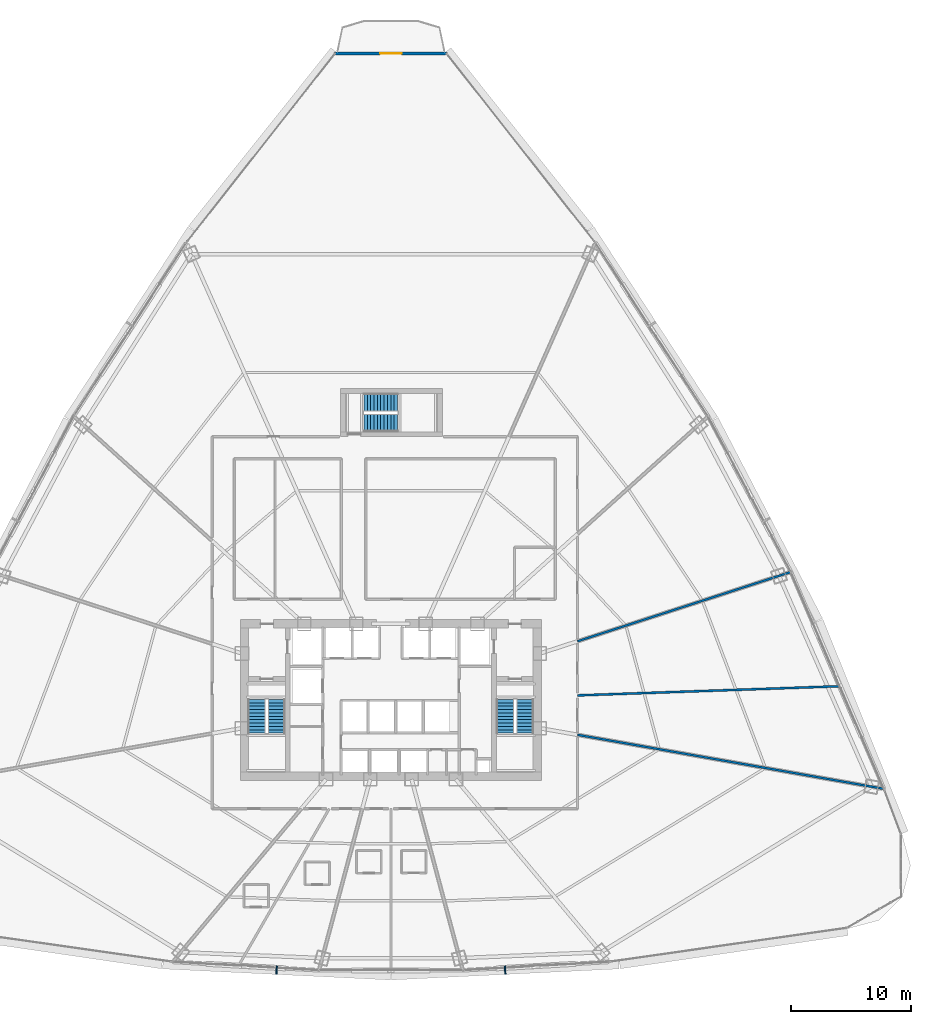
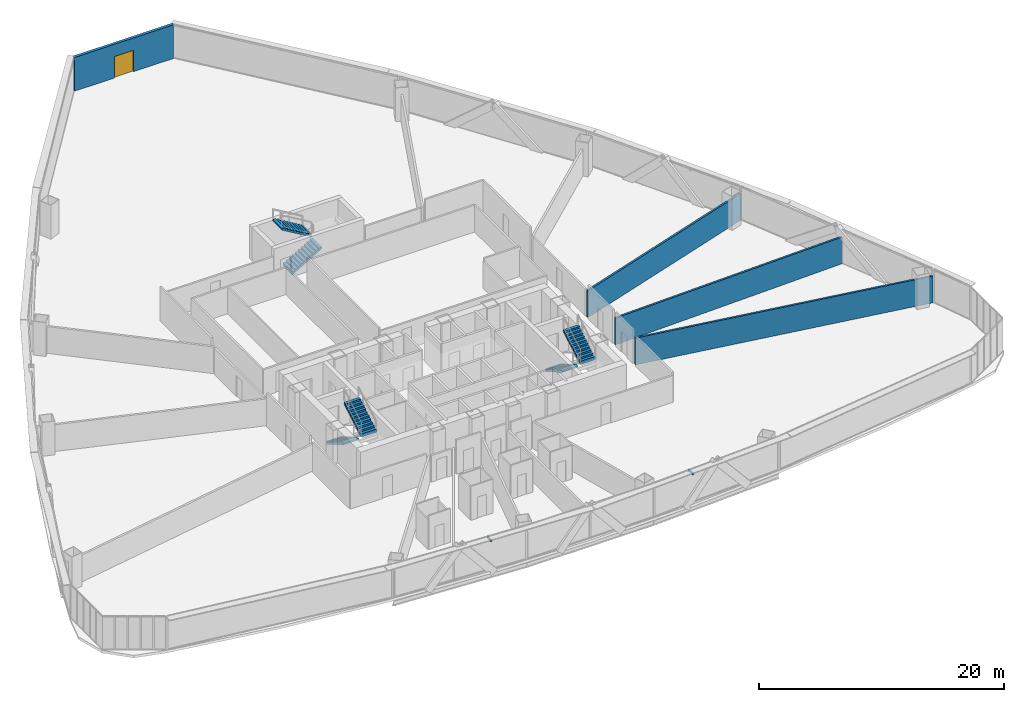
# One storey, part 35 of 40: 6 stair flights, 4 walls, 2 discrete accessories, 1 door, 1 opening, 3 elements without a shape of their own.
"""IFC4 building model written with IfcOpenShell, lengths in metres."""

import ifcopenshell
import ifcopenshell.guid

model = None  # the IFC model being written
_history = None  # IfcOwnerHistory: only IFC2X3 demands one
_inside = {}  # id of a spatial element -> (the spatial element, [elements in it])
_under = {}  # id of a project, library or spatial element -> (it, [spatial elements below it])
_declared = {}  # id of a project -> (the project, [libraries it declares])
_typed = {}  # id of a type object -> (the type object, [elements of that type])
_made_of = {}  # id of a material, layer set ... -> (it, [elements and type objects made of it])


def new_model(schema):
    """Start an empty IFC model of exactly this schema.

    Asked for "IFC4X3", IfcOpenShell would pick the latest addendum, in which some entities
    have other attributes; the version numbers below select the first issue.
    IFC2X3 requires an IfcOwnerHistory on every rooted entity: one is made here for all.
    """
    global model, _history
    if schema == "IFC4X3":
        model = ifcopenshell.file(schema_version=(4, 3, 0, 0))
    else:
        model = ifcopenshell.file(schema=schema)
    _inside.clear()
    _under.clear()
    _declared.clear()
    _typed.clear()
    _made_of.clear()
    _history = None
    if model.schema == "IFC2X3":
        org = make("IfcOrganization", Name="unknown")
        user = make(
            "IfcPersonAndOrganization",
            ThePerson=make("IfcPerson", FamilyName="unknown"),
            TheOrganization=org,
        )
        app = make(
            "IfcApplication",
            ApplicationDeveloper=org,
            Version="unknown",
            ApplicationFullName="unknown",
            ApplicationIdentifier="unknown",
        )
        _history = make(
            "IfcOwnerHistory",
            OwningUser=user,
            OwningApplication=app,
            ChangeAction="ADDED",
            CreationDate=0,
        )
    return model


def make(cls, **values):
    """One entity of the class cls with the attributes given. An attribute that is None is left unset."""
    return model.create_entity(
        cls, **{name: value for name, value in values.items() if value is not None}
    )


def rooted(cls, **values):
    """An entity with a GlobalId (a new one), such as an element, a storey or a relation."""
    return make(cls, GlobalId=ifcopenshell.guid.new(), OwnerHistory=_history, **values)


def si_unit(unit_type, name, prefix=None):
    """IfcSIUnit, for example si_unit("LENGTHUNIT", "METRE", prefix="MILLI")."""
    return make("IfcSIUnit", UnitType=unit_type, Prefix=prefix, Name=name)


def assignment(units):
    """IfcUnitAssignment: the units of a project."""
    return None if units is None else make("IfcUnitAssignment", Units=units)


def point(xyz):
    """IfcCartesianPoint."""
    return None if xyz is None else make("IfcCartesianPoint", Coordinates=xyz)


def direction(xyz):
    """IfcDirection."""
    return None if xyz is None else make("IfcDirection", DirectionRatios=xyz)


def frame(location, z_axis=None, x_axis=None):
    """IfcAxis2Placement3D, a coordinate frame: its origin and axes. An axis left out is left unset."""
    return make(
        "IfcAxis2Placement3D",
        Location=point(location),
        Axis=direction(z_axis),
        RefDirection=direction(x_axis),
    )


def frame_2d(location, x_axis=None):
    """IfcAxis2Placement2D, a coordinate frame in the plane: its origin and x axis."""
    return make(
        "IfcAxis2Placement2D", Location=point(location), RefDirection=direction(x_axis)
    )


def origin():
    """The frame at (0, 0, 0) with its axes left unset."""
    return frame((0.0, 0.0, 0.0))


def origin_with_axes():
    """The frame at (0, 0, 0) with the z axis (0, 0, 1) and the x axis (1, 0, 0) written out."""
    return frame((0.0, 0.0, 0.0), z_axis=(0.0, 0.0, 1.0), x_axis=(1.0, 0.0, 0.0))


def origin_2d():
    """The frame at (0, 0) in the plane with its x axis left unset."""
    return frame_2d((0.0, 0.0))


def place(relative_to, where):
    """IfcLocalPlacement: puts the frame where relative to a parent placement (None: the world)."""
    return make(
        "IfcLocalPlacement", PlacementRelTo=relative_to, RelativePlacement=where
    )


def context(
    kind, dimensions, precision=None, world=None, true_north=None, identifier=None
):
    """IfcGeometricRepresentationContext, for example the 3D "Model" context."""
    return make(
        "IfcGeometricRepresentationContext",
        ContextIdentifier=identifier,
        ContextType=kind,
        CoordinateSpaceDimension=dimensions,
        Precision=precision,
        WorldCoordinateSystem=world,
        TrueNorth=true_north,
    )


def subcontext(parent, identifier, kind, view, scale=None):
    """IfcGeometricRepresentationSubContext, for example "Body" below "Model"."""
    return make(
        "IfcGeometricRepresentationSubContext",
        ContextIdentifier=identifier,
        ContextType=kind,
        ParentContext=parent,
        TargetScale=scale,
        TargetView=view,
    )


def project(units=None, contexts=None):
    """IfcProject with its units and contexts."""
    return rooted(
        "IfcProject",
        Name="project",
        RepresentationContexts=contexts,
        UnitsInContext=assignment(units),
    )


def spatial(cls, under=None, at=None, **own):
    """A site, building, storey or space (cls), placed at a placement, below another one or the project."""
    s = rooted(cls, ObjectPlacement=at, **own)
    if under is not None:
        _under.setdefault(under.id(), (under, []))[1].append(s)
    return s


def polyline(points):
    """IfcPolyline through the points."""
    return make("IfcPolyline", Points=[point(p) for p in points])


def profile(cls, at=None, kind="AREA", **sizes):
    """A parametric profile (cls). Its sizes go by their IFC names, for example OverallWidth=200.0."""
    return make(cls, ProfileType=kind, Position=at, **sizes)


def rectangle(**sizes):
    """IfcRectangleProfileDef."""
    return profile("IfcRectangleProfileDef", **sizes)


def outline(outer, holes=None, kind="AREA"):
    """IfcArbitraryClosedProfileDef: a profile drawn as a closed curve; with holes, ...WithVoids."""
    if holes is None:
        return make("IfcArbitraryClosedProfileDef", ProfileType=kind, OuterCurve=outer)
    return make(
        "IfcArbitraryProfileDefWithVoids",
        ProfileType=kind,
        OuterCurve=outer,
        InnerCurves=holes,
    )


def extrude(swept, where, along, depth):
    """IfcExtrudedAreaSolid: the profile swept, set in the frame where, extruded along a direction by depth."""
    return make(
        "IfcExtrudedAreaSolid",
        SweptArea=swept,
        Position=where,
        ExtrudedDirection=direction(along),
        Depth=depth,
    )


def shape(context_of_items, identifier, shape_type, items):
    """IfcShapeRepresentation: the items that make up one representation, for example the "Body"."""
    return make(
        "IfcShapeRepresentation",
        ContextOfItems=context_of_items,
        RepresentationIdentifier=identifier,
        RepresentationType=shape_type,
        Items=items,
    )


def source(mapping_origin, context_of_items, identifier, shape_type, items):
    """IfcRepresentationMap: a shape defined once, which mapped items show again and again."""
    return make(
        "IfcRepresentationMap",
        MappingOrigin=mapping_origin,
        MappedRepresentation=shape(context_of_items, identifier, shape_type, items),
    )


def transform(
    local_origin,
    x_axis=None,
    y_axis=None,
    z_axis=None,
    scale=None,
    scale2=None,
    scale3=None,
    uniform=True,
):
    """IfcCartesianTransformationOperator3D, or its non-uniform kind. x_axis, y_axis, z_axis: its Axis1, 2, 3."""
    if uniform:
        return make(
            "IfcCartesianTransformationOperator3D",
            Axis1=direction(x_axis),
            Axis2=direction(y_axis),
            LocalOrigin=point(local_origin),
            Scale=scale,
            Axis3=direction(z_axis),
        )
    return make(
        "IfcCartesianTransformationOperator3DnonUniform",
        Axis1=direction(x_axis),
        Axis2=direction(y_axis),
        LocalOrigin=point(local_origin),
        Scale=scale,
        Axis3=direction(z_axis),
        Scale2=scale2,
        Scale3=scale3,
    )


def mapped(mapping_source, mapping_target):
    """IfcMappedItem: shows the shape of a source again, moved by a transform."""
    return make(
        "IfcMappedItem", MappingSource=mapping_source, MappingTarget=mapping_target
    )


def material(Name=None, Category=None):
    """IfcMaterial."""
    return make("IfcMaterial", Name=Name, Category=Category)


def layer(
    of_material, thickness, ventilated=None, Name=None, Category=None, Priority=None
):
    """IfcMaterialLayer: one layer of a wall or slab, of a material (None: an air gap)."""
    return make(
        "IfcMaterialLayer",
        Material=of_material,
        LayerThickness=thickness,
        IsVentilated=ventilated,
        Name=Name,
        Category=Category,
        Priority=Priority,
    )


def layer_set(layers, Name=None):
    """IfcMaterialLayerSet."""
    return make("IfcMaterialLayerSet", MaterialLayers=layers, LayerSetName=Name)


def made_of(thing, what):
    """Note that an element or type object is made of a material, layer set ...; save() writes the relation."""
    if what is not None:
        _made_of.setdefault(what.id(), (what, []))[1].append(thing)
    return thing


def type_object(cls, material=None, **own):
    """A type object (cls), such as IfcWallType, which elements share."""
    return made_of(rooted(cls, **own), material)


def element(
    cls,
    number,
    at=None,
    inside=None,
    cuts=None,
    type_object=None,
    material=None,
    context=None,
    identifier="Body",
    shape_type=None,
    held_by="IfcProductDefinitionShape",
    body=None,
    shapes=None,
    **own,
):
    """One element of the class cls, such as IfcWall. Its Tag is "e" and its number.

    at: its placement. inside: the storey or other place that contains it. cuts: it is an
    opening in that element (IfcRelVoidsElement). A single representation is given by context,
    identifier, shape_type and body (its items); several are given by shapes. held_by: the class
    of the entity that holds the representations. save() writes the other relations.
    """
    e = rooted(cls, Tag="e%d" % number, ObjectPlacement=at, **own)
    if body is not None:
        shapes = [shape(context, identifier, shape_type, body)]
    if shapes is not None:
        e.Representation = make(held_by, Representations=shapes)
    if inside is not None:
        _inside.setdefault(inside.id(), (inside, []))[1].append(e)
    if cuts is not None:
        rooted(
            "IfcRelVoidsElement", RelatingBuildingElement=cuts, RelatedOpeningElement=e
        )
    if type_object is not None:
        _typed.setdefault(type_object.id(), (type_object, []))[1].append(e)
    return made_of(e, material)


def fill(opening, filler):
    """IfcRelFillsElement: the door or window that sits in an opening."""
    return rooted(
        "IfcRelFillsElement",
        RelatingOpeningElement=opening,
        RelatedBuildingElement=filler,
    )


def aggregate(whole, parts):
    """IfcRelAggregates: a whole, such as a stair, and the parts it consists of."""
    return rooted("IfcRelAggregates", RelatingObject=whole, RelatedObjects=parts)


def save(model, path):
    """Write the relations noted so far, then the file.

    IfcRelAggregates (storeys below a building ...), IfcRelContainedInSpatialStructure (elements
    in a storey), IfcRelDefinesByType, IfcRelAssociatesMaterial and IfcRelDeclares: one each for
    every whole, place, type object, material and project.
    """
    for whole, parts in _under.values():
        aggregate(whole, parts)
    for where, things in _inside.values():
        rooted(
            "IfcRelContainedInSpatialStructure",
            RelatedElements=things,
            RelatingStructure=where,
        )
    for kind, things in _typed.values():
        rooted("IfcRelDefinesByType", RelatedObjects=things, RelatingType=kind)
    for what, things in _made_of.values():
        rooted("IfcRelAssociatesMaterial", RelatedObjects=things, RelatingMaterial=what)
    for by, libraries in _declared.values():
        rooted("IfcRelDeclares", RelatingContext=by, RelatedDefinitions=libraries)
    model.write(path)


model = new_model("IFC4")

# Units and contexts
model_context = context("Model", 3, precision=1e-05, world=origin(), true_north=direction((0.0, 1.0)))
body_context = subcontext(model_context, "Body", "Model", "MODEL_VIEW")
ifc_project = project(units=[si_unit("LENGTHUNIT", "METRE"), si_unit("AREAUNIT", "SQUARE_METRE"), si_unit("VOLUMEUNIT", "CUBIC_METRE"), si_unit("PLANEANGLEUNIT", "RADIAN"), si_unit("MASSUNIT", "GRAM", prefix="KILO"), si_unit("THERMODYNAMICTEMPERATUREUNIT", "KELVIN"), si_unit("POWERUNIT", "WATT")], contexts=[model_context])

# Site, building, storey
site_placement = place(None, origin())
site = spatial("IfcSite", under=ifc_project, at=site_placement, CompositionType="ELEMENT")
building_placement = place(site_placement, origin())
building = spatial("IfcBuilding", under=site, at=building_placement, Name="Yunzhuo Pagoda Commons", CompositionType="ELEMENT")
storey_placement = place(building_placement, frame((0.0, 0.0, 66.699951171875)))
storey = spatial("IfcBuildingStorey", under=building, at=storey_placement, Name="L17", CompositionType="ELEMENT", Elevation=66.699951171875)

# Wall, opening, door
ifc_material_1 = material(Name="Precast concrete C40", Category="concrete")
ifc_layer_1 = layer(ifc_material_1, 0.260009765625)
ifc_layer_set_1 = layer_set([ifc_layer_1], Name="Precast concrete C40")
wall_type_1 = type_object("IfcWallType", Name="W-BAL1 Corner Balcony Threshold Wall 260", PredefinedType="STANDARD", material=ifc_layer_set_1)
wall_1_placement = place(storey_placement, frame((52.69287109375, 87.735107421875, 0.0), z_axis=(0.0, 0.0, 1.0), x_axis=(-1.0, 0.0, 0.0)))
wall_1 = element("IfcWall", 1, at=wall_1_placement, inside=storey, type_object=wall_type_1, Name="L17 corner balcony wall V3", PredefinedType="STANDARD", context=body_context, shape_type="SweptSolid", body=[
    extrude(rectangle(XDim=9.3857421875, YDim=0.260009765625, at=frame_2d((4.69287109375, 0.0))), origin(), (0.0, 0.0, 1.0), 3.3701171875),
])
opening_placement = place(wall_1_placement, frame((3.79296875, 0.0, 0.0)))
opening = element("IfcOpeningElement", 2, at=opening_placement, cuts=wall_1, Name="Opening D-BAL1", PredefinedType="OPENING", context=body_context, shape_type="SweptSolid", body=[
    extrude(rectangle(XDim=1.800048828125, YDim=2.14990234375, at=frame_2d((0.89990234375, 1.074951171875))), frame((0.0, 0.14013671875, 0.0), z_axis=(0.0, -1.0, 0.0), x_axis=(1.0, 0.0, 0.0)), (0.0, 0.0, 1.0), 0.280029296875),
])
ifc_material_2 = material(Name="Anodized aluminium frame and tempered glazed leaf", Category="aluminium")
door_type = type_object("IfcDoorType", Name="D-BAL1 Corner Balcony Sliding Glazed Door 1800x2150", OperationType="DOUBLE_DOOR_SLIDING", PredefinedType="DOOR", material=ifc_material_2)
shared_shape_1 = source(origin(), body_context, "Body", "SweptSolid", [
    extrude(rectangle(XDim=1.800048828125, YDim=2.14990234375, at=frame_2d((0.89990234375, 1.074951171875))), frame((0.0, 0.02490234375, 0.0), z_axis=(0.0, -1.0, 0.0), x_axis=(1.0, 0.0, 0.0)), (0.0, 0.0, 1.0), 0.050048828125),
])
door_placement = place(opening_placement, origin_with_axes())
door = element("IfcDoor", 3, at=door_placement, inside=storey, type_object=door_type, Name="L17 corner balcony sliding door V3", OperationType="DOUBLE_DOOR_SLIDING", OverallHeight=2.14990234375, OverallWidth=1.800048828125, PredefinedType="DOOR", context=body_context, shape_type="MappedRepresentation", body=[
    mapped(shared_shape_1, transform((0.0, 0.0, 0.0), scale=1.0)),
])
fill(opening, door)

# Walls
ifc_material_3 = material(Name="Gypsum plasterboard on acoustic stud")
ifc_layer_2 = layer(ifc_material_3, 0.179931640625)
ifc_layer_set_2 = layer_set([ifc_layer_2], Name="Gypsum plasterboard on acoustic stud")
wall_type_2 = type_object("IfcWallType", Name="W-PRT2 Acoustic Unit Demising Wall 180", PredefinedType="PARTITIONING", material=ifc_layer_set_2)
wall_2_placement = place(storey_placement, frame((63.550048828125, 34.242919921875, 0.0), z_axis=(0.0, 0.0, 1.0), x_axis=(0.999390701976, 0.034903077271, 0.0)))
element("IfcWall", 4, at=wall_2_placement, inside=storey, type_object=wall_type_2, Name="L17 interior wall IW-L17-RAD01", PredefinedType="PARTITIONING", context=body_context, shape_type="SweptSolid", body=[
    extrude(rectangle(XDim=21.8798828125, YDim=0.179931640625, at=frame_2d((10.93994140625, 0.0))), origin(), (0.0, 0.0, 1.0), 2.670166015625),
])
wall_3_placement = place(storey_placement, frame((63.550048828125, 38.75244140625, 0.0), z_axis=(0.0, 0.0, 1.0), x_axis=(0.951053160417, 0.309027322514, 0.0)))
element("IfcWall", 5, at=wall_3_placement, inside=storey, type_object=wall_type_2, Name="L17 interior wall IW-L17-RAD02", PredefinedType="PARTITIONING", context=body_context, shape_type="SweptSolid", body=[
    extrude(rectangle(XDim=18.69921875, YDim=0.179931640625, at=frame_2d((9.349609375, 0.0))), origin(), (0.0, 0.0, 1.0), 2.670166015625),
])
wall_4_placement = place(storey_placement, frame((63.550048828125, 30.9580078125, 0.0), z_axis=(0.0, 0.0, 1.0), x_axis=(0.984809239356, -0.173639747982, 0.0)))
element("IfcWall", 6, at=wall_4_placement, inside=storey, type_object=wall_type_2, Name="L17 interior wall IW-L17-RAD13", PredefinedType="PARTITIONING", context=body_context, shape_type="SweptSolid", body=[
    extrude(rectangle(XDim=25.925537109375, YDim=0.179931640625, at=frame_2d((12.962890625, 0.0))), origin(), (0.0, 0.0, 1.0), 2.670166015625),
])

# Stair, stair flights
ifc_material_4 = material(Name="Concrete C40", Category="concrete")
stair_type_1 = type_object("IfcStairType", Name="ST-C1 Core Smokeproof Stair ST1", PredefinedType="HALF_TURN_STAIR", material=ifc_material_4)
stair_1_placement = place(storey_placement, origin())
stair_1 = element("IfcStair", 7, at=stair_1_placement, inside=storey, type_object=stair_type_1, Name="L17 Core smokeproof stair ST1", PredefinedType="HALF_TURN_STAIR")
stair_flight_type_1 = type_object("IfcStairFlightType", Name="STF-C1 Core Stair Flight 1450", PredefinedType="STRAIGHT", material=ifc_material_4)
shared_shape_2 = source(origin(), body_context, "Body", "SweptSolid", [
    extrude(outline(polyline([(0.0, -0.14990234375), (0.0, 0.0), (0.0, 0.1650390625), (0.280029296875, 0.1650390625), (0.280029296875, 0.330078125), (0.56005859375, 0.330078125), (0.56005859375, 0.4951171875), (0.840087890625, 0.4951171875), (0.840087890625, 0.659912109375), (1.1201171875, 0.659912109375), (1.1201171875, 0.824951171875), (1.39990234375, 0.824951171875), (1.39990234375, 0.989990234375), (1.679931640625, 0.989990234375), (1.679931640625, 1.155029296875), (1.9599609375, 1.155029296875), (1.9599609375, 1.320068359375), (2.239990234375, 1.320068359375), (2.239990234375, 1.485107421875), (2.52001953125, 1.485107421875), (2.52001953125, 1.64990234375), (2.800048828125, 1.64990234375), (2.800048828125, 1.81494140625), (2.800048828125, 1.47607421875), (0.295166015625, 0.0), (0.050048828125, -0.14990234375), (0.0, -0.14990234375)])), frame((0.0, 0.72509765625, 0.0), z_axis=(0.0, -1.0, 0.0), x_axis=(1.0, 0.0, 0.0)), (0.0, 0.0, 1.0), 1.449951171875),
])
stair_flight_1_placement = place(storey_placement, frame((36.824951171875, 33.89990234375, 0.0), z_axis=(0.0, 0.0, 1.0), x_axis=(0.0, -1.0, 0.0)))
stair_flight_1 = element("IfcStairFlight", 8, at=stair_flight_1_placement, type_object=stair_flight_type_1, Name="ST1 flight 1", NumberOfRisers=11, NumberOfTreads=10, PredefinedType="STRAIGHT", RiserHeight=0.165, TreadLength=0.28, context=body_context, shape_type="MappedRepresentation", body=[
    mapped(shared_shape_2, transform((0.0, 0.0, 0.0), scale=1.0)),
])
stair_flight_2_placement = place(storey_placement, frame((38.47509765625, 31.10009765625, 1.81494140625), z_axis=(0.0, 0.0, 1.0), x_axis=(0.0, 1.0, 0.0)))
stair_flight_2 = element("IfcStairFlight", 9, at=stair_flight_2_placement, type_object=stair_flight_type_1, Name="ST1 flight 2", NumberOfRisers=11, NumberOfTreads=10, PredefinedType="STRAIGHT", RiserHeight=0.165, TreadLength=0.28, context=body_context, shape_type="MappedRepresentation", body=[
    mapped(shared_shape_2, transform((0.0, 0.0, 0.0), scale=1.0)),
])
aggregate(stair_1, [stair_flight_1, stair_flight_2])

stair_type_2 = type_object("IfcStairType", Name="ST-C2 Core Smokeproof Stair ST2", PredefinedType="HALF_TURN_STAIR", material=ifc_material_4)
stair_2_placement = place(storey_placement, origin())
stair_2 = element("IfcStair", 10, at=stair_2_placement, inside=storey, type_object=stair_type_2, Name="L17 Core smokeproof stair ST2", PredefinedType="HALF_TURN_STAIR")
stair_flight_type_2 = type_object("IfcStairFlightType", Name="STF-C2 Core Stair Flight 1460", PredefinedType="STRAIGHT", material=ifc_material_4)
stair_flight_3_placement = place(storey_placement, frame((57.52490234375, 33.89990234375, 0.0), z_axis=(0.0, 0.0, 1.0), x_axis=(0.0, -1.0, 0.0)))
stair_flight_3 = element("IfcStairFlight", 11, at=stair_flight_3_placement, type_object=stair_flight_type_2, Name="ST2 flight 1", NumberOfRisers=11, NumberOfTreads=10, PredefinedType="STRAIGHT", RiserHeight=0.165, TreadLength=0.28, context=body_context, shape_type="MappedRepresentation", body=[
    mapped(shared_shape_2, transform((0.0, 0.0, 0.0), scale=1.0)),
])
stair_flight_4_placement = place(storey_placement, frame((59.175048828125, 31.10009765625, 1.81494140625), z_axis=(0.0, 0.0, 1.0), x_axis=(0.0, 1.0, 0.0)))
stair_flight_4 = element("IfcStairFlight", 12, at=stair_flight_4_placement, type_object=stair_flight_type_2, Name="ST2 flight 2", NumberOfRisers=11, NumberOfTreads=10, PredefinedType="STRAIGHT", RiserHeight=0.165, TreadLength=0.28, context=body_context, shape_type="MappedRepresentation", body=[
    mapped(shared_shape_2, transform((0.0, 0.0, 0.0), scale=1.0)),
])
aggregate(stair_2, [stair_flight_3, stair_flight_4])

stair_type_3 = type_object("IfcStairType", Name="ST-C3 North Tower Smokeproof Stair ST3", PredefinedType="HALF_TURN_STAIR", material=ifc_material_4)
stair_3_placement = place(storey_placement, origin())
stair_3 = element("IfcStair", 13, at=stair_3_placement, inside=storey, type_object=stair_type_3, Name="L17 North tower smokeproof stair ST3", PredefinedType="HALF_TURN_STAIR")
stair_flight_type_3 = type_object("IfcStairFlightType", Name="STF-C3 North Stair Flight 1500", PredefinedType="STRAIGHT", material=ifc_material_4)
shared_shape_3 = source(origin(), body_context, "Body", "SweptSolid", [
    extrude(outline(polyline([(0.0, -0.14990234375), (0.0, 0.0), (0.0, 0.1650390625), (0.280029296875, 0.1650390625), (0.280029296875, 0.330078125), (0.56005859375, 0.330078125), (0.56005859375, 0.4951171875), (0.840087890625, 0.4951171875), (0.840087890625, 0.659912109375), (1.1201171875, 0.659912109375), (1.1201171875, 0.824951171875), (1.39990234375, 0.824951171875), (1.39990234375, 0.989990234375), (1.679931640625, 0.989990234375), (1.679931640625, 1.155029296875), (1.9599609375, 1.155029296875), (1.9599609375, 1.320068359375), (2.239990234375, 1.320068359375), (2.239990234375, 1.485107421875), (2.52001953125, 1.485107421875), (2.52001953125, 1.64990234375), (2.800048828125, 1.64990234375), (2.800048828125, 1.81494140625), (2.800048828125, 1.47607421875), (0.295166015625, 0.0), (0.050048828125, -0.14990234375), (0.0, -0.14990234375)])), frame((0.0, 0.75, 0.0), z_axis=(0.0, -1.0, 0.0), x_axis=(1.0, 0.0, 0.0)), (0.0, 0.0, 1.0), 1.5),
])
stair_flight_5_placement = place(storey_placement, frame((45.75, 56.949951171875, 0.0), z_axis=(0.0, 0.0, 1.0), x_axis=(1.0, 0.0, 0.0)))
stair_flight_5 = element("IfcStairFlight", 14, at=stair_flight_5_placement, type_object=stair_flight_type_3, Name="ST3 flight 1", NumberOfRisers=11, NumberOfTreads=10, PredefinedType="STRAIGHT", RiserHeight=0.165, TreadLength=0.28, context=body_context, shape_type="MappedRepresentation", body=[
    mapped(shared_shape_3, transform((0.0, 0.0, 0.0), scale=1.0)),
])
stair_flight_6_placement = place(storey_placement, frame((48.550048828125, 58.64990234375, 1.81494140625), z_axis=(0.0, 0.0, 1.0), x_axis=(-1.0, 0.0, 0.0)))
stair_flight_6 = element("IfcStairFlight", 15, at=stair_flight_6_placement, type_object=stair_flight_type_3, Name="ST3 flight 2", NumberOfRisers=11, NumberOfTreads=10, PredefinedType="STRAIGHT", RiserHeight=0.165, TreadLength=0.28, context=body_context, shape_type="MappedRepresentation", body=[
    mapped(shared_shape_3, transform((0.0, 0.0, 0.0), scale=1.0)),
])
aggregate(stair_3, [stair_flight_5, stair_flight_6])

# Discrete accessories
ifc_material_5 = material(Name="Anodized aluminium 6063-T6", Category="aluminium")
discrete_accessory_type = type_object("IfcDiscreteAccessoryType", Name="BK-SUN1 Sunshade Outrigger Bracket", PredefinedType="BRACKET", material=ifc_material_5)
shared_shape_4 = source(origin(), body_context, "Body", "SweptSolid", [
    extrude(rectangle(XDim=0.1201171875, YDim=0.679931640625, at=origin_2d()), origin(), (0.0, 0.0, 1.0), 0.179931640625),
])
for number, where, z_axis, x_axis, name in (
    (16, (38.481689453125, 11.357666015625, 3.16015625), (0.0, 0.0, 1.0), (0.998818043775, -0.04860571396, 0.0), "L17 sunshade outrigger bracket F1.2"),
    (17, (57.518310546875, 11.357666015625, 3.16015625), (0.0, 0.0, 1.0), (0.998818043775, 0.04860571396, 0.0), "L17 sunshade outrigger bracket F1.3"),
):
    element("IfcDiscreteAccessory", number, at=place(storey_placement, frame(where, z_axis=z_axis, x_axis=x_axis)), inside=storey, type_object=discrete_accessory_type, Name=name, PredefinedType="BRACKET", context=body_context, shape_type="MappedRepresentation", body=[
        mapped(shared_shape_4, transform((0.0, 0.0, 0.0), scale=1.0)),
    ])

save(model, "model.ifc")
